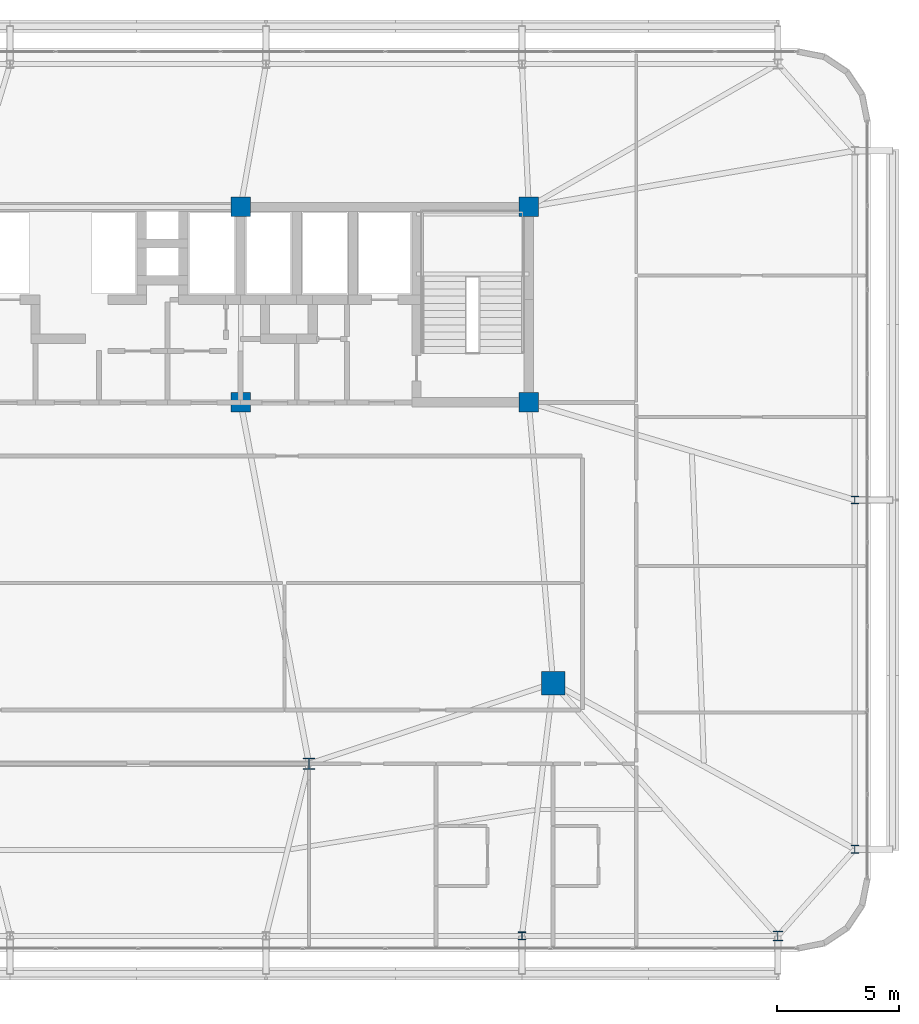
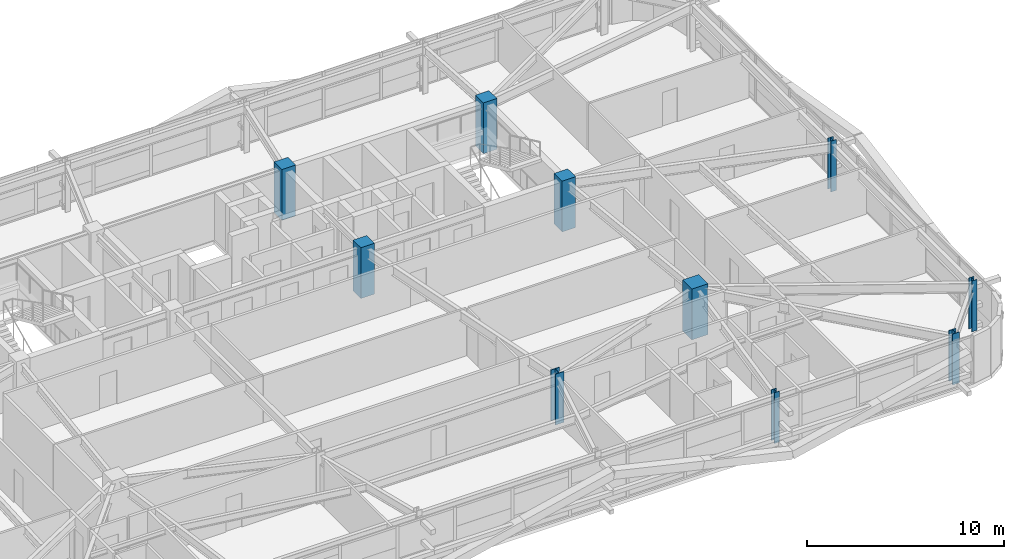
# One storey, part 2 of 59: 10 columns.
"""IFC4 building model written with IfcOpenShell, lengths in metres."""

from ifc_helpers import new_model, si_unit, direction, frame, origin, origin_2d, place, context, subcontext, project, spatial, rectangle, i_section, extrude, source, transform, mapped, material, material_profile, profile_set, type_object, element, save


model = new_model("IFC4")

# Units and contexts
model_context = context("Model", 3, precision=1e-05, world=origin(), true_north=direction((0.0, 1.0)))
body_context = subcontext(model_context, "Body", "Model", "MODEL_VIEW")
ifc_project = project(units=[si_unit("LENGTHUNIT", "METRE"), si_unit("AREAUNIT", "SQUARE_METRE"), si_unit("VOLUMEUNIT", "CUBIC_METRE"), si_unit("PLANEANGLEUNIT", "RADIAN"), si_unit("MASSUNIT", "GRAM", prefix="KILO")], contexts=[model_context])

# Site, building, storey
site_placement = place(None, origin())
site = spatial("IfcSite", under=ifc_project, at=site_placement, CompositionType="ELEMENT")
building_placement = place(site_placement, origin())
building = spatial("IfcBuilding", under=site, at=building_placement, Name="Taldren Reach Tower", CompositionType="ELEMENT")
storey_placement = place(building_placement, frame((0.0, 0.0, 29.39990234375)))
storey = spatial("IfcBuildingStorey", under=building, at=storey_placement, Name="L08", CompositionType="ELEMENT", Elevation=29.39990234375)

# Columns
ifc_material_1 = material(Name="Concrete S65 (65 MPa)", Category="concrete")
ifc_material_profile_1 = material_profile(ifc_material_1, rectangle(XDim=0.800048828125, YDim=0.800048828125, at=origin_2d()), Name="RC-800x800")
ifc_profile_set_1 = profile_set([ifc_material_profile_1], Name="Concrete S65 (65 MPa)")
column_type_1 = type_object("IfcColumnType", Name="COL-RC800", PredefinedType="COLUMN", material=ifc_profile_set_1)
shared_shape_1 = source(origin(), body_context, "Body", "SweptSolid", [
    extrude(rectangle(XDim=0.800048828125, YDim=0.800048828125, at=origin_2d()), origin(), (0.0, 0.0, 1.0), 3.150146484375),
])
for number, where, z_axis, x_axis, name in (
    (1, (39.199951171875, 24.0, 0.0), (0.0, 0.0, 1.0), (1.0, 0.0, 0.0), "Mega column MC-C3 L08"),
    (2, (51.0, 24.0, 0.0), (0.0, 0.0, 1.0), (1.0, 0.0, 0.0), "Mega column MC-C4 L08"),
    (3, (39.199951171875, 32.0, 0.0), (0.0, 0.0, 1.0), (1.0, 0.0, 0.0), "Mega column MC-C7 L08"),
    (4, (51.0, 32.0, 0.0), (0.0, 0.0, 1.0), (1.0, 0.0, 0.0), "Mega column MC-C8 L08"),
):
    element("IfcColumn", number, at=place(storey_placement, frame(where, z_axis=z_axis, x_axis=x_axis)), inside=storey, type_object=column_type_1, Name=name, PredefinedType="COLUMN", context=body_context, shape_type="MappedRepresentation", body=[
        mapped(shared_shape_1, transform((0.0, 0.0, 0.0), scale=1.0)),
    ])
ifc_material_2 = material(Name="Steel Gr 350 (350PLUS)", Category="steel")
ifc_material_profile_2 = material_profile(ifc_material_2, i_section(OverallWidth=0.5, OverallDepth=0.47998046875, WebThickness=0.028076171875, FlangeThickness=0.0439453125, at=origin_2d()), Name="500WC440")
ifc_profile_set_2 = profile_set([ifc_material_profile_2], Name="Steel Gr 350 (350PLUS)")
column_type_2 = type_object("IfcColumnType", Name="COL-WC500A", PredefinedType="COLUMN", material=ifc_profile_set_2)
shared_shape_2 = source(origin(), body_context, "Body", "SweptSolid", [
    extrude(i_section(OverallWidth=0.5, OverallDepth=0.47998046875, WebThickness=0.028076171875, FlangeThickness=0.0439453125, at=origin_2d()), origin(), (0.0, 0.0, 1.0), 3.150146484375),
])
column_1_placement = place(storey_placement, frame((42.0, 9.199951171875, 0.0), z_axis=(0.0, 0.0, 1.0), x_axis=(1.0, 0.0, 0.0)))
element("IfcColumn", 5, at=column_1_placement, inside=storey, type_object=column_type_2, Name="Mega column MC-PJE L08", PredefinedType="COLUMN", context=body_context, shape_type="MappedRepresentation", body=[
    mapped(shared_shape_2, transform((0.0, 0.0, 0.0), scale=1.0)),
])
ifc_material_3 = material(Name="Concrete S80 (80 MPa)", Category="concrete")
ifc_material_profile_3 = material_profile(ifc_material_3, rectangle(XDim=0.949951171875, YDim=0.949951171875, at=origin_2d()), Name="RC-950x950")
ifc_profile_set_3 = profile_set([ifc_material_profile_3], Name="Concrete S80 (80 MPa)")
column_type_3 = type_object("IfcColumnType", Name="COL-RC950", PredefinedType="COLUMN", material=ifc_profile_set_3)
shared_shape_3 = source(origin(), body_context, "Body", "SweptSolid", [
    extrude(rectangle(XDim=0.949951171875, YDim=0.949951171875, at=origin_2d()), origin(), (0.0, 0.0, 1.0), 3.150146484375),
])
column_2_placement = place(storey_placement, frame((52.0, 12.5, 0.0), z_axis=(0.0, 0.0, 1.0), x_axis=(1.0, 0.0, 0.0)))
element("IfcColumn", 6, at=column_2_placement, inside=storey, type_object=column_type_3, Name="Mega column MC-SE L08", PredefinedType="COLUMN", context=body_context, shape_type="MappedRepresentation", body=[
    mapped(shared_shape_3, transform((0.0, 0.0, 0.0), scale=1.0)),
])
ifc_material_profile_4 = material_profile(ifc_material_2, i_section(OverallWidth=0.39990234375, OverallDepth=0.39599609375, WebThickness=0.02197265625, FlangeThickness=0.033935546875, at=origin_2d()), Name="400WC270")
ifc_profile_set_4 = profile_set([ifc_material_profile_4], Name="Steel Gr 350 (350PLUS)")
column_type_4 = type_object("IfcColumnType", Name="COL-WC400", PredefinedType="COLUMN", material=ifc_profile_set_4)
shared_shape_4 = source(origin(), body_context, "Body", "SweptSolid", [
    extrude(i_section(OverallWidth=0.39990234375, OverallDepth=0.39599609375, WebThickness=0.02197265625, FlangeThickness=0.033935546875, at=origin_2d()), origin(), (0.0, 0.0, 1.0), 3.150146484375),
])
column_3_placement = place(storey_placement, frame((61.199951171875, 2.14990234375, 0.0), z_axis=(0.0, 0.0, 1.0), x_axis=(1.0, 0.0, 0.0)))
element("IfcColumn", 7, at=column_3_placement, inside=storey, type_object=column_type_4, Name="Block B1 perimeter column S6 L08", PredefinedType="COLUMN", context=body_context, shape_type="MappedRepresentation", body=[
    mapped(shared_shape_4, transform((0.0, 0.0, 0.0), scale=1.0)),
])
ifc_material_profile_5 = material_profile(ifc_material_2, i_section(OverallWidth=0.31103515625, OverallDepth=0.326904296875, WebThickness=0.015625, FlangeThickness=0.02490234375, at=origin_2d()), Name="310UC158")
ifc_profile_set_5 = profile_set([ifc_material_profile_5], Name="Steel Gr 350 (350PLUS)")
column_type_5 = type_object("IfcColumnType", Name="COL-UC310A", PredefinedType="COLUMN", material=ifc_profile_set_5)
shared_shape_5 = source(origin(), body_context, "Body", "SweptSolid", [
    extrude(i_section(OverallWidth=0.31103515625, OverallDepth=0.326904296875, WebThickness=0.015625, FlangeThickness=0.02490234375, at=origin_2d()), origin(), (0.0, 0.0, 1.0), 3.150146484375),
])
for number, where, z_axis, x_axis, name in (
    (8, (50.719970703125, 2.14990234375, 0.0), (0.0, 0.0, 1.0), (1.0, 0.0, 0.0), "Block B1 perimeter column S5 L08"),
    (9, (64.35009765625, 5.699951171875, 0.0), (0.0, 0.0, 1.0), (1.0, 0.0, 0.0), "Block B1 perimeter column E1 L08"),
    (10, (64.35009765625, 20.0, 0.0), (0.0, 0.0, 1.0), (1.0, 0.0, 0.0), "Block B1 perimeter column E2 L08"),
):
    element("IfcColumn", number, at=place(storey_placement, frame(where, z_axis=z_axis, x_axis=x_axis)), inside=storey, type_object=column_type_5, Name=name, PredefinedType="COLUMN", context=body_context, shape_type="MappedRepresentation", body=[
        mapped(shared_shape_5, transform((0.0, 0.0, 0.0), scale=1.0)),
    ])

save(model, "model.ifc")
